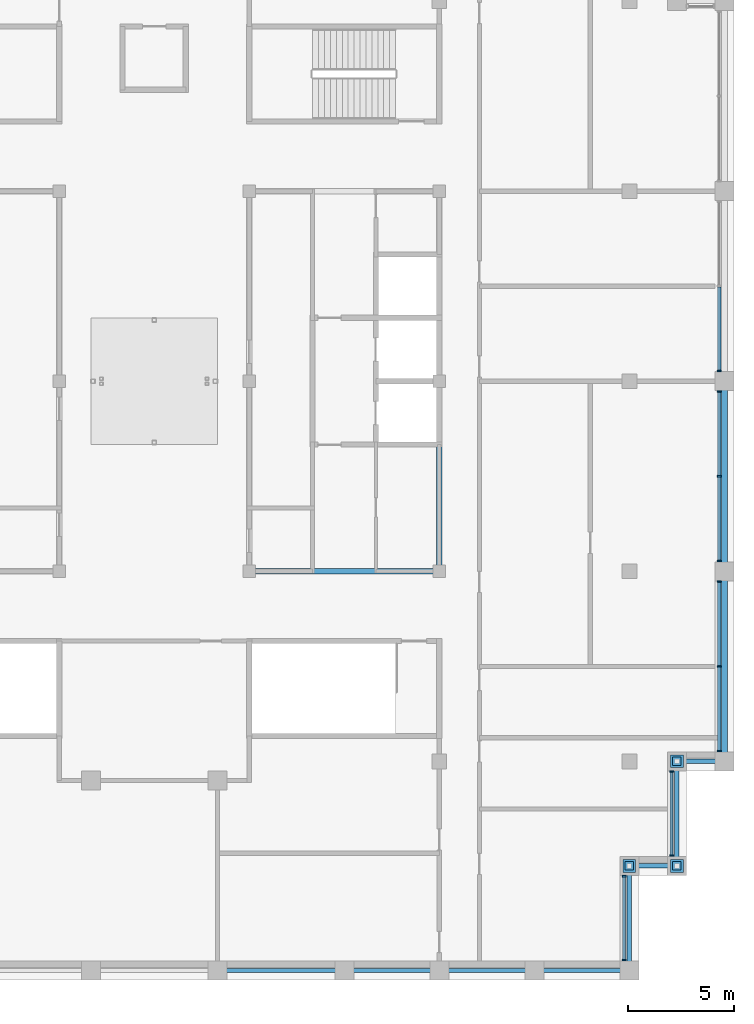
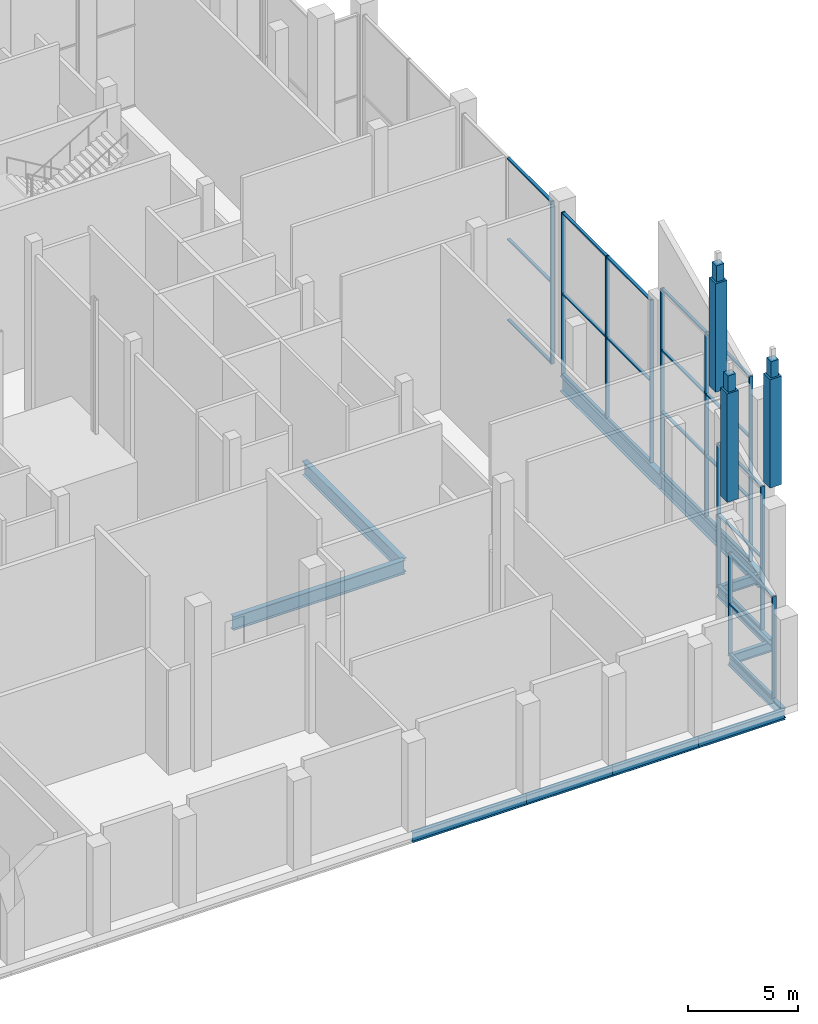
# One storey, part 4 of 16: 40 members, 12 beams, 5 elements without a shape of their own.
"""IFC4 building model written with IfcOpenShell, lengths in metres."""

from ifc_helpers import new_model, si_unit, direction, frame, origin, origin_2d, place, context, subcontext, project, spatial, rectangle, i_section, extrude, material, layer, layer_set, material_profile, profile_set, type_object, element, aggregate, save


model = new_model("IFC4")

# Units and contexts
model_context = context("Model", 3, precision=1e-05, world=origin(), true_north=direction((0.0, 1.0)))
body_context = subcontext(model_context, "Body", "Model", "MODEL_VIEW")
ifc_project = project(units=[si_unit("LENGTHUNIT", "METRE"), si_unit("AREAUNIT", "SQUARE_METRE"), si_unit("VOLUMEUNIT", "CUBIC_METRE"), si_unit("PLANEANGLEUNIT", "RADIAN"), si_unit("MASSUNIT", "GRAM", prefix="KILO")], contexts=[model_context])

# Site, building, storey
site_placement = place(None, origin())
site = spatial("IfcSite", under=ifc_project, at=site_placement, CompositionType="ELEMENT")
building_placement = place(site_placement, origin())
building = spatial("IfcBuilding", under=site, at=building_placement, Name="Corbelhall Arena Tower", CompositionType="ELEMENT")
storey_placement = place(building_placement, frame((0.0, 0.0, 366.0)))
storey = spatial("IfcBuildingStorey", under=building, at=storey_placement, Name="L80", CompositionType="ELEMENT", Elevation=366.0)

# Curtain wall, members
ifc_material_1 = material(Name="Aluminium black anodised", Category="aluminium")
ifc_layer = layer(ifc_material_1, 0.219970703125)
ifc_layer_set = layer_set([ifc_layer], Name="EV-CW2 Damper hall glazing")
curtain_wall_type = type_object("IfcCurtainWallType", Name="EV-CW2 Damper hall glazing", PredefinedType="NOTDEFINED", material=ifc_layer_set)
curtain_wall_1_placement = place(storey_placement, origin())
curtain_wall_1 = element("IfcCurtainWall", 1, at=curtain_wall_1_placement, inside=storey, type_object=curtain_wall_type, Name="Curtain wall CW2E", PredefinedType="NOTDEFINED")
ifc_material_profile_1 = material_profile(ifc_material_1, rectangle(XDim=0.199951171875, YDim=0.074951171875, at=origin_2d()))
ifc_profile_set_1 = profile_set([ifc_material_profile_1], Name="Aluminium black anodised")
member_type_1 = type_object("IfcMemberType", Name="EV-CW2-MULLION", PredefinedType="MULLION", material=ifc_profile_set_1)
member_1_placement = place(storey_placement, frame((22.25, -27.41259765625, 0.0), z_axis=(0.0, 0.0, 1.0), x_axis=(-1.0, 0.0, 0.0)))
member_1 = element("IfcMember", 2, at=member_1_placement, type_object=member_type_1, Name="CW2E mullion 1", PredefinedType="MULLION", context=body_context, shape_type="SweptSolid", body=[
    extrude(rectangle(XDim=0.199951171875, YDim=0.074951171875, at=origin_2d()), origin(), (0.0, 0.0, 1.0), 5.633056640625),
])
member_2_placement = place(storey_placement, frame((22.25, -23.4375, 0.0), z_axis=(0.0, 0.0, 1.0), x_axis=(-1.0, 0.0, 0.0)))
member_2 = element("IfcMember", 3, at=member_2_placement, type_object=member_type_1, Name="CW2E mullion 2", PredefinedType="MULLION", context=body_context, shape_type="SweptSolid", body=[
    extrude(rectangle(XDim=0.199951171875, YDim=0.074951171875, at=origin_2d()), origin(), (0.0, 0.0, 1.0), 5.633056640625),
])

curtain_wall_2_placement = place(storey_placement, origin())
curtain_wall_2 = element("IfcCurtainWall", 4, at=curtain_wall_2_placement, inside=storey, type_object=curtain_wall_type, Name="Curtain wall CW2F", PredefinedType="NOTDEFINED")
member_3_placement = place(storey_placement, frame((24.5, -22.46240234375, 0.0), z_axis=(0.0, 0.0, 1.0), x_axis=(-1.0, 0.0, 0.0)))
member_3 = element("IfcMember", 5, at=member_3_placement, type_object=member_type_1, Name="CW2F mullion 1", PredefinedType="MULLION", context=body_context, shape_type="SweptSolid", body=[
    extrude(rectangle(XDim=0.199951171875, YDim=0.074951171875, at=origin_2d()), origin(), (0.0, 0.0, 1.0), 7.939453125),
])
member_4_placement = place(storey_placement, frame((24.5, -18.487548828125, 0.0), z_axis=(0.0, 0.0, 1.0), x_axis=(-1.0, 0.0, 0.0)))
member_4 = element("IfcMember", 6, at=member_4_placement, type_object=member_type_1, Name="CW2F mullion 2", PredefinedType="MULLION", context=body_context, shape_type="SweptSolid", body=[
    extrude(rectangle(XDim=0.199951171875, YDim=0.074951171875, at=origin_2d()), origin(), (0.0, 0.0, 1.0), 7.939453125),
])

curtain_wall_3_placement = place(storey_placement, origin())
curtain_wall_3 = element("IfcCurtainWall", 7, at=curtain_wall_3_placement, inside=storey, type_object=curtain_wall_type, Name="Curtain wall CW2D", PredefinedType="NOTDEFINED")
member_5_placement = place(storey_placement, frame((26.75, -17.512451171875, 0.0), z_axis=(0.0, 0.0, 1.0), x_axis=(-1.0, 0.0, 0.0)))
member_5 = element("IfcMember", 8, at=member_5_placement, type_object=member_type_1, Name="CW2D mullion 1", PredefinedType="MULLION", context=body_context, shape_type="SweptSolid", body=[
    extrude(rectangle(XDim=0.199951171875, YDim=0.074951171875, at=origin_2d()), origin(), (0.0, 0.0, 1.0), 10.245849609375),
])
member_6_placement = place(storey_placement, frame((26.75, -13.5, 0.0), z_axis=(0.0, 0.0, 1.0), x_axis=(-1.0, 0.0, 0.0)))
member_6 = element("IfcMember", 9, at=member_6_placement, type_object=member_type_1, Name="CW2D mullion 2", PredefinedType="MULLION", context=body_context, shape_type="SweptSolid", body=[
    extrude(rectangle(XDim=0.199951171875, YDim=0.074951171875, at=origin_2d()), origin(), (0.0, 0.0, 1.0), 10.245849609375),
])
member_7_placement = place(storey_placement, frame((26.75, -9.487548828125, 0.0), z_axis=(0.0, 0.0, 1.0), x_axis=(-1.0, 0.0, 0.0)))
member_7 = element("IfcMember", 10, at=member_7_placement, type_object=member_type_1, Name="CW2D mullion 3", PredefinedType="MULLION", context=body_context, shape_type="SweptSolid", body=[
    extrude(rectangle(XDim=0.199951171875, YDim=0.074951171875, at=origin_2d()), origin(), (0.0, 0.0, 1.0), 10.245849609375),
])

curtain_wall_4_placement = place(storey_placement, origin())
curtain_wall_4 = element("IfcCurtainWall", 11, at=curtain_wall_4_placement, inside=storey, type_object=curtain_wall_type, Name="Curtain wall CW2", PredefinedType="NOTDEFINED")
member_8_placement = place(storey_placement, frame((26.75, -8.512451171875, 0.0), z_axis=(0.0, 0.0, 1.0), x_axis=(-1.0, 0.0, 0.0)))
member_8 = element("IfcMember", 12, at=member_8_placement, type_object=member_type_1, Name="CW2 mullion 1", PredefinedType="MULLION", context=body_context, shape_type="SweptSolid", body=[
    extrude(rectangle(XDim=0.199951171875, YDim=0.074951171875, at=origin_2d()), origin(), (0.0, 0.0, 1.0), 8.99951171875),
])
member_9_placement = place(storey_placement, frame((26.75, -4.5, 0.0), z_axis=(0.0, 0.0, 1.0), x_axis=(-1.0, 0.0, 0.0)))
member_9 = element("IfcMember", 13, at=member_9_placement, type_object=member_type_1, Name="CW2 mullion 2", PredefinedType="MULLION", context=body_context, shape_type="SweptSolid", body=[
    extrude(rectangle(XDim=0.199951171875, YDim=0.074951171875, at=origin_2d()), origin(), (0.0, 0.0, 1.0), 8.99951171875),
])
member_10_placement = place(storey_placement, frame((26.75, -0.487548828125, 0.0), z_axis=(0.0, 0.0, 1.0), x_axis=(-1.0, 0.0, 0.0)))
member_10 = element("IfcMember", 14, at=member_10_placement, type_object=member_type_1, Name="CW2 mullion 3", PredefinedType="MULLION", context=body_context, shape_type="SweptSolid", body=[
    extrude(rectangle(XDim=0.199951171875, YDim=0.074951171875, at=origin_2d()), origin(), (0.0, 0.0, 1.0), 8.99951171875),
])

# Curtain wall, member
curtain_wall_5_placement = place(storey_placement, origin())
curtain_wall_5 = element("IfcCurtainWall", 15, at=curtain_wall_5_placement, inside=storey, type_object=curtain_wall_type, Name="Curtain wall CW2", PredefinedType="NOTDEFINED")
member_11_placement = place(storey_placement, frame((26.75, 0.487548828125, 0.0), z_axis=(0.0, 0.0, 1.0), x_axis=(-1.0, 0.0, 0.0)))
member_11 = element("IfcMember", 16, at=member_11_placement, type_object=member_type_1, Name="CW2 mullion 1", PredefinedType="MULLION", context=body_context, shape_type="SweptSolid", body=[
    extrude(rectangle(XDim=0.199951171875, YDim=0.074951171875, at=origin_2d()), origin(), (0.0, 0.0, 1.0), 8.99951171875),
])

# Member
ifc_material_profile_2 = material_profile(ifc_material_1, rectangle(XDim=0.14990234375, YDim=0.074951171875, at=origin_2d()))
ifc_profile_set_2 = profile_set([ifc_material_profile_2], Name="Aluminium black anodised")
member_type_2 = type_object("IfcMemberType", Name="EV-CW2-TRANSOM", PredefinedType="USERDEFINED", material=ifc_profile_set_2)
member_12_placement = place(storey_placement, frame((22.25, -27.375, 0.03759765625), z_axis=(0.0, 1.0, 0.0), x_axis=(-1.0, 0.0, 0.0)))
member_12 = element("IfcMember", 17, at=member_12_placement, type_object=member_type_2, Name="CW2E transom 1.1", ObjectType="transom", PredefinedType="USERDEFINED", context=body_context, shape_type="SweptSolid", body=[
    extrude(rectangle(XDim=0.14990234375, YDim=0.074951171875, at=origin_2d()), origin(), (0.0, 0.0, 1.0), 3.89990234375),
])

member_13_placement = place(storey_placement, frame((22.25, -27.375, 2.81640625), z_axis=(0.0, 1.0, 0.0), x_axis=(-1.0, 0.0, 0.0)))
member_13 = element("IfcMember", 18, at=member_13_placement, type_object=member_type_2, Name="CW2E transom 1.2", ObjectType="transom", PredefinedType="USERDEFINED", context=body_context, shape_type="SweptSolid", body=[
    extrude(rectangle(XDim=0.14990234375, YDim=0.074951171875, at=origin_2d()), origin(), (0.0, 0.0, 1.0), 3.89990234375),
])

member_14_placement = place(storey_placement, frame((22.25, -27.375, 5.595458984375), z_axis=(0.0, 1.0, 0.0), x_axis=(-1.0, 0.0, 0.0)))
member_14 = element("IfcMember", 19, at=member_14_placement, type_object=member_type_2, Name="CW2E transom 1.3", ObjectType="transom", PredefinedType="USERDEFINED", context=body_context, shape_type="SweptSolid", body=[
    extrude(rectangle(XDim=0.14990234375, YDim=0.074951171875, at=origin_2d()), origin(), (0.0, 0.0, 1.0), 3.89990234375),
])

aggregate(curtain_wall_1, [member_1, member_2, member_12, member_13, member_14])

member_15_placement = place(storey_placement, frame((24.5, -22.425048828125, 0.03759765625), z_axis=(0.0, 1.0, 0.0), x_axis=(-1.0, 0.0, 0.0)))
member_15 = element("IfcMember", 20, at=member_15_placement, type_object=member_type_2, Name="CW2F transom 1.1", ObjectType="transom", PredefinedType="USERDEFINED", context=body_context, shape_type="SweptSolid", body=[
    extrude(rectangle(XDim=0.14990234375, YDim=0.074951171875, at=origin_2d()), origin(), (0.0, 0.0, 1.0), 3.900146484375),
])

member_16_placement = place(storey_placement, frame((24.5, -22.425048828125, 3.9697265625), z_axis=(0.0, 1.0, 0.0), x_axis=(-1.0, 0.0, 0.0)))
member_16 = element("IfcMember", 21, at=member_16_placement, type_object=member_type_2, Name="CW2F transom 1.2", ObjectType="transom", PredefinedType="USERDEFINED", context=body_context, shape_type="SweptSolid", body=[
    extrude(rectangle(XDim=0.14990234375, YDim=0.074951171875, at=origin_2d()), origin(), (0.0, 0.0, 1.0), 3.900146484375),
])

member_17_placement = place(storey_placement, frame((24.5, -22.425048828125, 7.90185546875), z_axis=(0.0, 1.0, 0.0), x_axis=(-1.0, 0.0, 0.0)))
member_17 = element("IfcMember", 22, at=member_17_placement, type_object=member_type_2, Name="CW2F transom 1.3", ObjectType="transom", PredefinedType="USERDEFINED", context=body_context, shape_type="SweptSolid", body=[
    extrude(rectangle(XDim=0.14990234375, YDim=0.074951171875, at=origin_2d()), origin(), (0.0, 0.0, 1.0), 3.900146484375),
])

aggregate(curtain_wall_2, [member_3, member_4, member_15, member_16, member_17])

member_18_placement = place(storey_placement, frame((26.75, -17.47509765625, 0.03759765625), z_axis=(0.0, 1.0, 0.0), x_axis=(-1.0, 0.0, 0.0)))
member_18 = element("IfcMember", 23, at=member_18_placement, type_object=member_type_2, Name="CW2D transom 1.1", ObjectType="transom", PredefinedType="USERDEFINED", context=body_context, shape_type="SweptSolid", body=[
    extrude(rectangle(XDim=0.14990234375, YDim=0.074951171875, at=origin_2d()), origin(), (0.0, 0.0, 1.0), 3.9375),
])

member_19_placement = place(storey_placement, frame((26.75, -17.47509765625, 3.415283203125), z_axis=(0.0, 1.0, 0.0), x_axis=(-1.0, 0.0, 0.0)))
member_19 = element("IfcMember", 24, at=member_19_placement, type_object=member_type_2, Name="CW2D transom 1.2", ObjectType="transom", PredefinedType="USERDEFINED", context=body_context, shape_type="SweptSolid", body=[
    extrude(rectangle(XDim=0.14990234375, YDim=0.074951171875, at=origin_2d()), origin(), (0.0, 0.0, 1.0), 3.9375),
])

member_20_placement = place(storey_placement, frame((26.75, -17.47509765625, 6.83056640625), z_axis=(0.0, 1.0, 0.0), x_axis=(-1.0, 0.0, 0.0)))
member_20 = element("IfcMember", 25, at=member_20_placement, type_object=member_type_2, Name="CW2D transom 1.3", ObjectType="transom", PredefinedType="USERDEFINED", context=body_context, shape_type="SweptSolid", body=[
    extrude(rectangle(XDim=0.14990234375, YDim=0.074951171875, at=origin_2d()), origin(), (0.0, 0.0, 1.0), 3.9375),
])

member_21_placement = place(storey_placement, frame((26.75, -17.47509765625, 10.20849609375), z_axis=(0.0, 1.0, 0.0), x_axis=(-1.0, 0.0, 0.0)))
member_21 = element("IfcMember", 26, at=member_21_placement, type_object=member_type_2, Name="CW2D transom 1.4", ObjectType="transom", PredefinedType="USERDEFINED", context=body_context, shape_type="SweptSolid", body=[
    extrude(rectangle(XDim=0.14990234375, YDim=0.074951171875, at=origin_2d()), origin(), (0.0, 0.0, 1.0), 3.9375),
])

member_22_placement = place(storey_placement, frame((26.75, -13.46240234375, 0.03759765625), z_axis=(0.0, 1.0, 0.0), x_axis=(-1.0, 0.0, 0.0)))
member_22 = element("IfcMember", 27, at=member_22_placement, type_object=member_type_2, Name="CW2D transom 2.1", ObjectType="transom", PredefinedType="USERDEFINED", context=body_context, shape_type="SweptSolid", body=[
    extrude(rectangle(XDim=0.14990234375, YDim=0.074951171875, at=origin_2d()), origin(), (0.0, 0.0, 1.0), 3.9375),
])

member_23_placement = place(storey_placement, frame((26.75, -13.46240234375, 3.415283203125), z_axis=(0.0, 1.0, 0.0), x_axis=(-1.0, 0.0, 0.0)))
member_23 = element("IfcMember", 28, at=member_23_placement, type_object=member_type_2, Name="CW2D transom 2.2", ObjectType="transom", PredefinedType="USERDEFINED", context=body_context, shape_type="SweptSolid", body=[
    extrude(rectangle(XDim=0.14990234375, YDim=0.074951171875, at=origin_2d()), origin(), (0.0, 0.0, 1.0), 3.9375),
])

member_24_placement = place(storey_placement, frame((26.75, -13.46240234375, 6.83056640625), z_axis=(0.0, 1.0, 0.0), x_axis=(-1.0, 0.0, 0.0)))
member_24 = element("IfcMember", 29, at=member_24_placement, type_object=member_type_2, Name="CW2D transom 2.3", ObjectType="transom", PredefinedType="USERDEFINED", context=body_context, shape_type="SweptSolid", body=[
    extrude(rectangle(XDim=0.14990234375, YDim=0.074951171875, at=origin_2d()), origin(), (0.0, 0.0, 1.0), 3.9375),
])

member_25_placement = place(storey_placement, frame((26.75, -13.46240234375, 10.20849609375), z_axis=(0.0, 1.0, 0.0), x_axis=(-1.0, 0.0, 0.0)))
member_25 = element("IfcMember", 30, at=member_25_placement, type_object=member_type_2, Name="CW2D transom 2.4", ObjectType="transom", PredefinedType="USERDEFINED", context=body_context, shape_type="SweptSolid", body=[
    extrude(rectangle(XDim=0.14990234375, YDim=0.074951171875, at=origin_2d()), origin(), (0.0, 0.0, 1.0), 3.9375),
])

aggregate(curtain_wall_3, [member_5, member_6, member_7, member_18, member_19, member_20, member_21, member_22, member_23, member_24, member_25])

member_26_placement = place(storey_placement, frame((26.75, -8.47509765625, 0.03759765625), z_axis=(0.0, 1.0, 0.0), x_axis=(-1.0, 0.0, 0.0)))
member_26 = element("IfcMember", 31, at=member_26_placement, type_object=member_type_2, Name="CW2 transom 1.1", ObjectType="transom", PredefinedType="USERDEFINED", context=body_context, shape_type="SweptSolid", body=[
    extrude(rectangle(XDim=0.14990234375, YDim=0.074951171875, at=origin_2d()), origin(), (0.0, 0.0, 1.0), 3.9375),
])

member_27_placement = place(storey_placement, frame((26.75, -8.47509765625, 4.499755859375), z_axis=(0.0, 1.0, 0.0), x_axis=(-1.0, 0.0, 0.0)))
member_27 = element("IfcMember", 32, at=member_27_placement, type_object=member_type_2, Name="CW2 transom 1.2", ObjectType="transom", PredefinedType="USERDEFINED", context=body_context, shape_type="SweptSolid", body=[
    extrude(rectangle(XDim=0.14990234375, YDim=0.074951171875, at=origin_2d()), origin(), (0.0, 0.0, 1.0), 3.9375),
])

member_28_placement = place(storey_placement, frame((26.75, -8.47509765625, 8.962158203125), z_axis=(0.0, 1.0, 0.0), x_axis=(-1.0, 0.0, 0.0)))
member_28 = element("IfcMember", 33, at=member_28_placement, type_object=member_type_2, Name="CW2 transom 1.3", ObjectType="transom", PredefinedType="USERDEFINED", context=body_context, shape_type="SweptSolid", body=[
    extrude(rectangle(XDim=0.14990234375, YDim=0.074951171875, at=origin_2d()), origin(), (0.0, 0.0, 1.0), 3.9375),
])

member_29_placement = place(storey_placement, frame((26.75, -4.46240234375, 0.03759765625), z_axis=(0.0, 1.0, 0.0), x_axis=(-1.0, 0.0, 0.0)))
member_29 = element("IfcMember", 34, at=member_29_placement, type_object=member_type_2, Name="CW2 transom 2.1", ObjectType="transom", PredefinedType="USERDEFINED", context=body_context, shape_type="SweptSolid", body=[
    extrude(rectangle(XDim=0.14990234375, YDim=0.074951171875, at=origin_2d()), origin(), (0.0, 0.0, 1.0), 3.9375),
])

member_30_placement = place(storey_placement, frame((26.75, -4.46240234375, 4.499755859375), z_axis=(0.0, 1.0, 0.0), x_axis=(-1.0, 0.0, 0.0)))
member_30 = element("IfcMember", 35, at=member_30_placement, type_object=member_type_2, Name="CW2 transom 2.2", ObjectType="transom", PredefinedType="USERDEFINED", context=body_context, shape_type="SweptSolid", body=[
    extrude(rectangle(XDim=0.14990234375, YDim=0.074951171875, at=origin_2d()), origin(), (0.0, 0.0, 1.0), 3.9375),
])

member_31_placement = place(storey_placement, frame((26.75, -4.46240234375, 8.962158203125), z_axis=(0.0, 1.0, 0.0), x_axis=(-1.0, 0.0, 0.0)))
member_31 = element("IfcMember", 36, at=member_31_placement, type_object=member_type_2, Name="CW2 transom 2.3", ObjectType="transom", PredefinedType="USERDEFINED", context=body_context, shape_type="SweptSolid", body=[
    extrude(rectangle(XDim=0.14990234375, YDim=0.074951171875, at=origin_2d()), origin(), (0.0, 0.0, 1.0), 3.9375),
])

aggregate(curtain_wall_4, [member_8, member_9, member_10, member_26, member_27, member_28, member_29, member_30, member_31])

member_32_placement = place(storey_placement, frame((26.75, 0.52490234375, 0.03759765625), z_axis=(0.0, 1.0, 0.0), x_axis=(-1.0, 0.0, 0.0)))
member_32 = element("IfcMember", 37, at=member_32_placement, type_object=member_type_2, Name="CW2 transom 1.1", ObjectType="transom", PredefinedType="USERDEFINED", context=body_context, shape_type="SweptSolid", body=[
    extrude(rectangle(XDim=0.14990234375, YDim=0.074951171875, at=origin_2d()), origin(), (0.0, 0.0, 1.0), 3.9375),
])

member_33_placement = place(storey_placement, frame((26.75, 0.52490234375, 4.499755859375), z_axis=(0.0, 1.0, 0.0), x_axis=(-1.0, 0.0, 0.0)))
member_33 = element("IfcMember", 38, at=member_33_placement, type_object=member_type_2, Name="CW2 transom 1.2", ObjectType="transom", PredefinedType="USERDEFINED", context=body_context, shape_type="SweptSolid", body=[
    extrude(rectangle(XDim=0.14990234375, YDim=0.074951171875, at=origin_2d()), origin(), (0.0, 0.0, 1.0), 3.9375),
])

member_34_placement = place(storey_placement, frame((26.75, 0.52490234375, 8.962158203125), z_axis=(0.0, 1.0, 0.0), x_axis=(-1.0, 0.0, 0.0)))
member_34 = element("IfcMember", 39, at=member_34_placement, type_object=member_type_2, Name="CW2 transom 1.3", ObjectType="transom", PredefinedType="USERDEFINED", context=body_context, shape_type="SweptSolid", body=[
    extrude(rectangle(XDim=0.14990234375, YDim=0.074951171875, at=origin_2d()), origin(), (0.0, 0.0, 1.0), 3.9375),
])

aggregate(curtain_wall_5, [member_11, member_32, member_33, member_34])

# Members
ifc_material_2 = material(Name="Cast aluminium bronze finish", Category="aluminium")
ifc_material_profile_3 = material_profile(ifc_material_2, rectangle(XDim=0.60009765625, YDim=0.60009765625, at=origin_2d()))
ifc_profile_set_3 = profile_set([ifc_material_profile_3], Name="Cast aluminium bronze finish")
member_type_3 = type_object("IfcMemberType", Name="EV-PN1 Pinnacle", PredefinedType="USERDEFINED", material=ifc_profile_set_3)
for number, where, z_axis, x_axis, name in (
    (40, (22.5, -22.949951171875, 8.306396484375), (0.0, 0.0, 1.0), (1.0, 0.0, 0.0), "Pinnacle"),
    (41, (24.75, -22.949951171875, 8.306396484375), (0.0, 0.0, 1.0), (1.0, 0.0, 0.0), "Pinnacle"),
    (42, (24.75, -18.0, 10.61279296875), (0.0, 0.0, 1.0), (1.0, 0.0, 0.0), "Pinnacle"),
):
    element("IfcMember", number, at=place(storey_placement, frame(where, z_axis=z_axis, x_axis=x_axis)), inside=storey, type_object=member_type_3, Name=name, ObjectType="pinnacle", PredefinedType="USERDEFINED", context=body_context, shape_type="SweptSolid", body=[
        extrude(rectangle(XDim=0.60009765625, YDim=0.60009765625, at=origin_2d()), origin(), (0.0, 0.0, 1.0), 6.0),
    ])
ifc_material_profile_4 = material_profile(ifc_material_2, rectangle(XDim=0.39990234375, YDim=0.39990234375, at=origin_2d()))
ifc_profile_set_4 = profile_set([ifc_material_profile_4], Name="Cast aluminium bronze finish")
member_type_4 = type_object("IfcMemberType", Name="EV-PN6 Pinnacle upper stage 400", PredefinedType="USERDEFINED", material=ifc_profile_set_4)
for number, where, z_axis, x_axis, name in (
    (43, (22.5, -22.949951171875, 14.306396484375), (0.0, 0.0, 1.0), (1.0, 0.0, 0.0), "Pinnacle upper stage"),
    (44, (24.75, -22.949951171875, 14.306396484375), (0.0, 0.0, 1.0), (1.0, 0.0, 0.0), "Pinnacle upper stage"),
    (45, (24.75, -18.0, 16.61279296875), (0.0, 0.0, 1.0), (1.0, 0.0, 0.0), "Pinnacle upper stage"),
):
    element("IfcMember", number, at=place(storey_placement, frame(where, z_axis=z_axis, x_axis=x_axis)), inside=storey, type_object=member_type_4, Name=name, ObjectType="pinnacle stage", PredefinedType="USERDEFINED", context=body_context, shape_type="SweptSolid", body=[
        extrude(rectangle(XDim=0.39990234375, YDim=0.39990234375, at=origin_2d()), origin(), (0.0, 0.0, 1.0), 0.900146484375),
    ])

# Beams
ifc_material_3 = material(Name="Steel ASTM A992 Gr50", Category="steel")
ifc_material_profile_5 = material_profile(ifc_material_3, i_section(OverallWidth=0.2666015625, OverallDepth=0.761962890625, WebThickness=0.014404296875, FlangeThickness=0.021484375, at=origin_2d()))
ifc_profile_set_5 = profile_set([ifc_material_profile_5], Name="Steel ASTM A992 Gr50")
beam_type_1 = type_object("IfcBeamType", Name="ST-BEAM-W30x116", PredefinedType="BEAM", material=ifc_profile_set_5)
for number, where, z_axis, x_axis, name in (
    (46, (13.5, -9.0, -0.781494140625), (0.0, 1.0, 0.0), (-1.0, 0.0, 0.0), "Beam CEE 9"),
    (47, (4.5, -9.0, -0.781494140625), (1.0, 0.0, 0.0), (0.0, 1.0, 0.0), "Beam CEE 11"),
):
    element("IfcBeam", number, at=place(storey_placement, frame(where, z_axis=z_axis, x_axis=x_axis)), inside=storey, type_object=beam_type_1, Name=name, PredefinedType="BEAM", context=body_context, shape_type="SweptSolid", body=[
        extrude(i_section(OverallWidth=0.2666015625, OverallDepth=0.761962890625, WebThickness=0.014404296875, FlangeThickness=0.021484375, at=origin_2d()), origin(), (0.0, 0.0, 1.0), 9.0),
    ])
ifc_material_profile_6 = material_profile(ifc_material_3, i_section(OverallWidth=0.2099609375, OverallDepth=0.535888671875, WebThickness=0.010986328125, FlangeThickness=0.017333984375, at=origin_2d()))
ifc_profile_set_6 = profile_set([ifc_material_profile_6], Name="Steel ASTM A992 Gr50")
beam_type_2 = type_object("IfcBeamType", Name="ST-SPANDREL-W21x68", PredefinedType="SPANDREL", material=ifc_profile_set_6)
beam_1_placement = place(storey_placement, frame((27.0, -18.0, -0.66845703125), z_axis=(-1.0, 0.0, 0.0), x_axis=(0.0, -1.0, 0.0)))
element("IfcBeam", 48, at=beam_1_placement, inside=storey, type_object=beam_type_2, Name="Beam SP 5", PredefinedType="SPANDREL", context=body_context, shape_type="SweptSolid", body=[
    extrude(i_section(OverallWidth=0.2099609375, OverallDepth=0.535888671875, WebThickness=0.010986328125, FlangeThickness=0.017333984375, at=origin_2d()), origin(), (0.0, 0.0, 1.0), 2.25),
])
beam_2_placement = place(storey_placement, frame((9.0, -27.89990234375, -0.66845703125), z_axis=(-1.0, 0.0, 0.0), x_axis=(0.0, -1.0, 0.0)))
element("IfcBeam", 49, at=beam_2_placement, inside=storey, type_object=beam_type_2, Name="Beam SP 17", PredefinedType="SPANDREL", context=body_context, shape_type="SweptSolid", body=[
    extrude(i_section(OverallWidth=0.2099609375, OverallDepth=0.535888671875, WebThickness=0.010986328125, FlangeThickness=0.017333984375, at=origin_2d()), origin(), (0.0, 0.0, 1.0), 6.0),
])
for number, where, z_axis, x_axis, name in (
    (50, (13.5, -27.89990234375, -0.66845703125), (-1.0, 0.0, 0.0), (0.0, -1.0, 0.0), "Beam SP 18"),
    (51, (18.0, -27.89990234375, -0.66845703125), (-1.0, 0.0, 0.0), (0.0, -1.0, 0.0), "Beam SP 19"),
    (52, (22.5, -27.89990234375, -0.66845703125), (-1.0, 0.0, 0.0), (0.0, -1.0, 0.0), "Beam SP 20"),
):
    element("IfcBeam", number, at=place(storey_placement, frame(where, z_axis=z_axis, x_axis=x_axis)), inside=storey, type_object=beam_type_2, Name=name, PredefinedType="SPANDREL", context=body_context, shape_type="SweptSolid", body=[
        extrude(i_section(OverallWidth=0.2099609375, OverallDepth=0.535888671875, WebThickness=0.010986328125, FlangeThickness=0.017333984375, at=origin_2d()), origin(), (0.0, 0.0, 1.0), 4.5),
    ])
beam_3_placement = place(storey_placement, frame((22.5, -22.949951171875, -0.66845703125), z_axis=(0.0, -1.0, 0.0), x_axis=(1.0, 0.0, 0.0)))
element("IfcBeam", 53, at=beam_3_placement, inside=storey, type_object=beam_type_2, Name="Beam SP 37", PredefinedType="SPANDREL", context=body_context, shape_type="SweptSolid", body=[
    extrude(i_section(OverallWidth=0.2099609375, OverallDepth=0.535888671875, WebThickness=0.010986328125, FlangeThickness=0.017333984375, at=origin_2d()), origin(), (0.0, 0.0, 1.0), 4.949951171875),
])
beam_4_placement = place(storey_placement, frame((24.75, -22.949951171875, -0.66845703125), z_axis=(-1.0, 0.0, 0.0), x_axis=(0.0, -1.0, 0.0)))
element("IfcBeam", 54, at=beam_4_placement, inside=storey, type_object=beam_type_2, Name="Beam SP 38", PredefinedType="SPANDREL", context=body_context, shape_type="SweptSolid", body=[
    extrude(i_section(OverallWidth=0.2099609375, OverallDepth=0.535888671875, WebThickness=0.010986328125, FlangeThickness=0.017333984375, at=origin_2d()), origin(), (0.0, 0.0, 1.0), 2.25),
])
beam_5_placement = place(storey_placement, frame((24.75, -18.0, -0.66845703125), z_axis=(0.0, -1.0, 0.0), x_axis=(1.0, 0.0, 0.0)))
element("IfcBeam", 55, at=beam_5_placement, inside=storey, type_object=beam_type_2, Name="Beam SP 39", PredefinedType="SPANDREL", context=body_context, shape_type="SweptSolid", body=[
    extrude(i_section(OverallWidth=0.2099609375, OverallDepth=0.535888671875, WebThickness=0.010986328125, FlangeThickness=0.017333984375, at=origin_2d()), origin(), (0.0, 0.0, 1.0), 4.949951171875),
])
ifc_material_profile_7 = material_profile(ifc_material_3, i_section(OverallWidth=0.2919921875, OverallDepth=0.845703125, WebThickness=0.015380859375, FlangeThickness=0.0244140625, at=origin_2d()))
ifc_profile_set_7 = profile_set([ifc_material_profile_7], Name="Steel ASTM A992 Gr50")
beam_type_3 = type_object("IfcBeamType", Name="ST-SPANDREL-W33x141", PredefinedType="SPANDREL", material=ifc_profile_set_7)
for number, where, z_axis, x_axis, name in (
    (56, (27.0, 0.0, -0.8232421875), (0.0, -1.0, 0.0), (1.0, 0.0, 0.0), "Beam SP 1"),
    (57, (27.0, -9.0, -0.8232421875), (0.0, -1.0, 0.0), (1.0, 0.0, 0.0), "Beam SP 4"),
):
    element("IfcBeam", number, at=place(storey_placement, frame(where, z_axis=z_axis, x_axis=x_axis)), inside=storey, type_object=beam_type_3, Name=name, PredefinedType="SPANDREL", context=body_context, shape_type="SweptSolid", body=[
        extrude(i_section(OverallWidth=0.2919921875, OverallDepth=0.845703125, WebThickness=0.015380859375, FlangeThickness=0.0244140625, at=origin_2d()), origin(), (0.0, 0.0, 1.0), 9.0),
    ])

save(model, "model.ifc")
